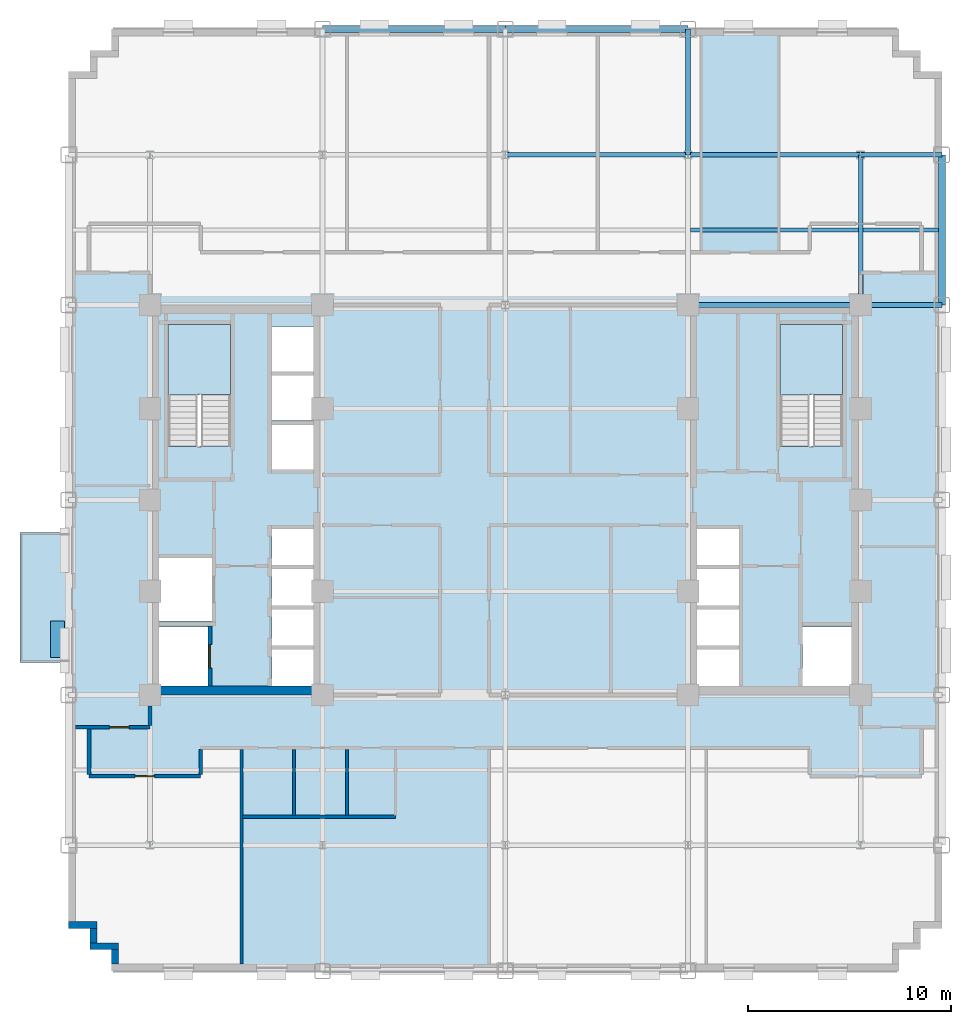
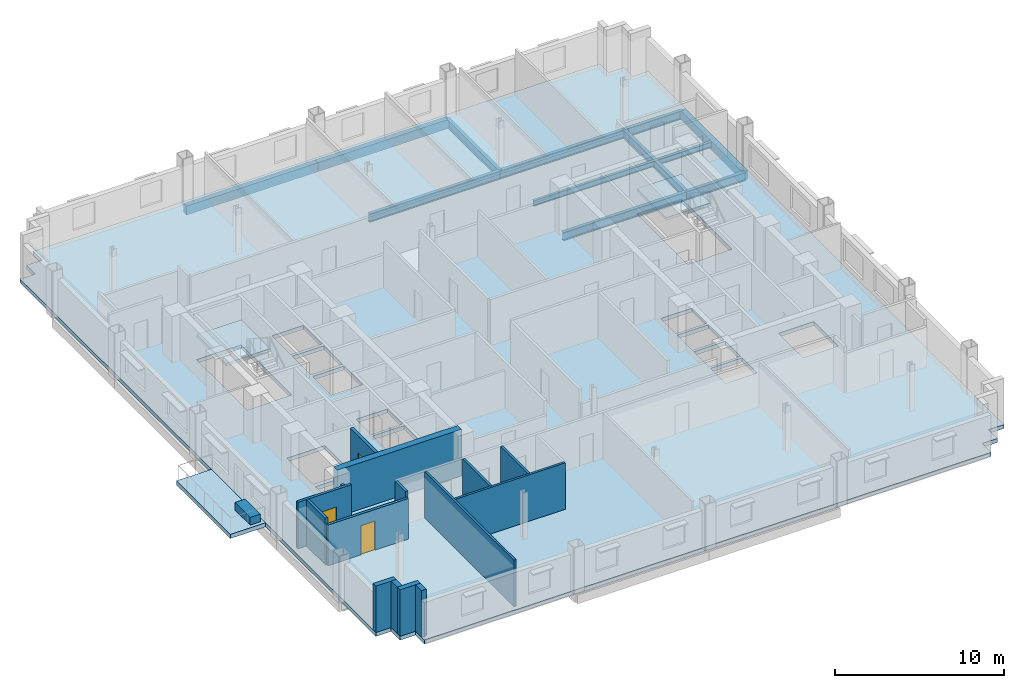
# One storey, part 5 of 13: 15 walls, 12 beams, 4 slabs, 3 doors, 1 plate, 3 openings, 2 elements without a shape of their own.
"""IFC4 building model written with IfcOpenShell, lengths in metres."""

from ifc_helpers import new_model, si_unit, direction, frame, frame_2d, origin, origin_2d, place, context, subcontext, project, spatial, polyline, rectangle, i_section, outline, extrude, source, transform, mapped, material, layer, layer_set, material_profile, profile_set, type_object, type_shapes, element, fill, aggregate, save


model = new_model("IFC4")

# Units and contexts
model_context = context("Model", 3, precision=1e-05, world=origin(), true_north=direction((0.0, 1.0)))
body_context = subcontext(model_context, "Body", "Model", "MODEL_VIEW")
ifc_project = project(units=[si_unit("LENGTHUNIT", "METRE"), si_unit("AREAUNIT", "SQUARE_METRE"), si_unit("VOLUMEUNIT", "CUBIC_METRE"), si_unit("PLANEANGLEUNIT", "RADIAN"), si_unit("MASSUNIT", "GRAM", prefix="KILO")], contexts=[model_context])

# Site, building, storey
site_placement = place(None, origin())
site = spatial("IfcSite", under=ifc_project, at=site_placement, CompositionType="ELEMENT")
building_placement = place(site_placement, origin())
building = spatial("IfcBuilding", under=site, at=building_placement, Name="Nuvemarco Arch Tower", CompositionType="ELEMENT")
storey_placement = place(building_placement, frame((0.0, 0.0, 78.699951171875)))
storey = spatial("IfcBuildingStorey", under=building, at=storey_placement, Name="L20", CompositionType="ELEMENT", Elevation=78.699951171875)

# Beams
ifc_material_1 = material(Name="Steel S355", Category="steel")
ifc_material_profile_1 = material_profile(ifc_material_1, i_section(OverallWidth=0.22998046875, OverallDepth=0.616943359375, WebThickness=0.01318359375, FlangeThickness=0.022216796875, FilletRadius=0.01611328125, at=origin_2d()), Name="W610x140")
ifc_profile_set_1 = profile_set([ifc_material_profile_1], Name="Steel S355")
beam_type_1 = type_object("IfcBeamType", Name="BM-GIRD-610", PredefinedType="BEAM", material=ifc_profile_set_1)
beam_1_placement = place(storey_placement, frame((9.0, 17.0, -0.58837890625), z_axis=(0.0, 1.0, 0.0), x_axis=(-1.0, 0.0, 0.0)))
element("IfcBeam", 1, at=beam_1_placement, inside=storey, type_object=beam_type_1, Name="L20 structural beam BGNS_L20_0_+9.0_+17.0", PredefinedType="BEAM", context=body_context, shape_type="SweptSolid", body=[
    extrude(i_section(OverallWidth=0.22998046875, OverallDepth=0.616943359375, WebThickness=0.01318359375, FlangeThickness=0.022216796875, FilletRadius=0.01611328125, at=origin_2d()), origin(), (0.0, 0.0, 1.0), 6.199951171875),
])
beam_2_placement = place(storey_placement, frame((17.5, 9.60009765625, -0.58837890625), z_axis=(0.0, 1.0, 0.0), x_axis=(-1.0, 0.0, 0.0)))
element("IfcBeam", 2, at=beam_2_placement, inside=storey, type_object=beam_type_1, Name="L20 structural beam BGNS_L20_0_+17.5_+9.6", PredefinedType="BEAM", context=body_context, shape_type="SweptSolid", body=[
    extrude(i_section(OverallWidth=0.22998046875, OverallDepth=0.616943359375, WebThickness=0.01318359375, FlangeThickness=0.022216796875, FilletRadius=0.01611328125, at=origin_2d()), origin(), (0.0, 0.0, 1.0), 7.39990234375),
])
beam_3_placement = place(storey_placement, frame((9.0, 9.60009765625, -0.58837890625), z_axis=(1.0, 0.0, 0.0), x_axis=(0.0, 1.0, 0.0)))
element("IfcBeam", 3, at=beam_3_placement, inside=storey, type_object=beam_type_1, Name="L20 structural beam BGEW_L20_0_+9.6_+9.0", PredefinedType="BEAM", context=body_context, shape_type="SweptSolid", body=[
    extrude(i_section(OverallWidth=0.22998046875, OverallDepth=0.616943359375, WebThickness=0.01318359375, FlangeThickness=0.022216796875, FilletRadius=0.01611328125, at=origin_2d()), origin(), (0.0, 0.0, 1.0), 8.5),
])
beam_4_placement = place(storey_placement, frame((17.5, 9.60009765625, -0.58837890625), z_axis=(1.0, 0.0, 0.0), x_axis=(0.0, 1.0, 0.0)))
element("IfcBeam", 4, at=beam_4_placement, inside=storey, type_object=beam_type_1, Name="L20 structural beam BGEW_L20_0_+9.6_+17.5", PredefinedType="BEAM", context=body_context, shape_type="SweptSolid", body=[
    extrude(i_section(OverallWidth=0.22998046875, OverallDepth=0.616943359375, WebThickness=0.01318359375, FlangeThickness=0.022216796875, FilletRadius=0.01611328125, at=origin_2d()), origin(), (0.0, 0.0, 1.0), 4.0),
])
beam_5_placement = place(storey_placement, frame((0.0, 17.0, -0.58837890625), z_axis=(1.0, 0.0, 0.0), x_axis=(0.0, 1.0, 0.0)))
element("IfcBeam", 5, at=beam_5_placement, inside=storey, type_object=beam_type_1, Name="L20 structural beam BGEW_L20_0_+17.0_+0.0", PredefinedType="BEAM", context=body_context, shape_type="SweptSolid", body=[
    extrude(i_section(OverallWidth=0.22998046875, OverallDepth=0.616943359375, WebThickness=0.01318359375, FlangeThickness=0.022216796875, FilletRadius=0.01611328125, at=origin_2d()), origin(), (0.0, 0.0, 1.0), 9.0),
])
beam_6_placement = place(storey_placement, frame((9.0, 17.0, -0.58837890625), z_axis=(1.0, 0.0, 0.0), x_axis=(0.0, 1.0, 0.0)))
element("IfcBeam", 6, at=beam_6_placement, inside=storey, type_object=beam_type_1, Name="L20 structural beam BGEW_L20_0_+17.0_+9.0", PredefinedType="BEAM", context=body_context, shape_type="SweptSolid", body=[
    extrude(i_section(OverallWidth=0.22998046875, OverallDepth=0.616943359375, WebThickness=0.01318359375, FlangeThickness=0.022216796875, FilletRadius=0.01611328125, at=origin_2d()), origin(), (0.0, 0.0, 1.0), 8.5),
])
beam_7_placement = place(storey_placement, frame((17.5, 17.0, -0.58837890625), z_axis=(1.0, 0.0, 0.0), x_axis=(0.0, 1.0, 0.0)))
element("IfcBeam", 7, at=beam_7_placement, inside=storey, type_object=beam_type_1, Name="L20 structural beam BGEW_L20_0_+17.0_+17.5", PredefinedType="BEAM", context=body_context, shape_type="SweptSolid", body=[
    extrude(i_section(OverallWidth=0.22998046875, OverallDepth=0.616943359375, WebThickness=0.01318359375, FlangeThickness=0.022216796875, FilletRadius=0.01611328125, at=origin_2d()), origin(), (0.0, 0.0, 1.0), 4.0),
])
ifc_material_profile_2 = material_profile(ifc_material_1, i_section(OverallWidth=0.179931640625, OverallDepth=0.4130859375, WebThickness=0.009765625, FlangeThickness=0.01611328125, FilletRadius=0.014892578125, at=origin_2d()), Name="W410x75")
ifc_profile_set_2 = profile_set([ifc_material_profile_2], Name="Steel S355")
beam_type_2 = type_object("IfcBeamType", Name="BM-JOIST-410", PredefinedType="JOIST", material=ifc_profile_set_2)
beam_8_placement = place(storey_placement, frame((9.114990234375, 13.300048828125, -0.486572265625), z_axis=(1.0, 0.0, 0.0), x_axis=(0.0, 1.0, 0.0)))
element("IfcBeam", 8, at=beam_8_placement, inside=storey, type_object=beam_type_2, Name="L20 structural beam BJ_L20_0_+13.3_+9.0", PredefinedType="JOIST", context=body_context, shape_type="SweptSolid", body=[
    extrude(i_section(OverallWidth=0.179931640625, OverallDepth=0.4130859375, WebThickness=0.009765625, FlangeThickness=0.01611328125, FilletRadius=0.014892578125, at=origin_2d()), origin(), (0.0, 0.0, 1.0), 8.27001953125),
])
beam_9_placement = place(storey_placement, frame((17.614990234375, 13.300048828125, -0.486572265625), z_axis=(1.0, 0.0, 0.0), x_axis=(0.0, 1.0, 0.0)))
element("IfcBeam", 9, at=beam_9_placement, inside=storey, type_object=beam_type_2, Name="L20 structural beam BJ_L20_0_+13.3_+17.5", PredefinedType="JOIST", context=body_context, shape_type="SweptSolid", body=[
    extrude(i_section(OverallWidth=0.179931640625, OverallDepth=0.4130859375, WebThickness=0.009765625, FlangeThickness=0.01611328125, FilletRadius=0.014892578125, at=origin_2d()), origin(), (0.0, 0.0, 1.0), 3.7099609375),
])
ifc_material_2 = material(Name="Precast concrete C45/55", Category="concrete")
ifc_material_profile_3 = material_profile(ifc_material_2, rectangle(XDim=0.35009765625, YDim=0.64990234375, at=origin_2d()), Name="PC-SP-350x650")
ifc_profile_set_3 = profile_set([ifc_material_profile_3], Name="Precast concrete C45/55")
beam_type_3 = type_object("IfcBeamType", Name="BM-SPAN-RC", PredefinedType="SPANDREL", material=ifc_profile_set_3)
beam_10_placement = place(storey_placement, frame((21.5, 9.60009765625, -0.60498046875), z_axis=(0.0, 1.0, 0.0), x_axis=(-1.0, 0.0, 0.0)))
element("IfcBeam", 10, at=beam_10_placement, inside=storey, type_object=beam_type_3, Name="L20 structural beam BGNS_L20_0_+21.5_+9.6", PredefinedType="SPANDREL", context=body_context, shape_type="SweptSolid", body=[
    extrude(rectangle(XDim=0.35009765625, YDim=0.64990234375, at=origin_2d()), origin(), (0.0, 0.0, 1.0), 7.39990234375),
])
for number, where, z_axis, x_axis, name in (
    (11, (-9.0, 23.199951171875, -0.60498046875), (1.0, 0.0, 0.0), (0.0, 1.0, 0.0), "L20 structural beam BGEW_L20_0_+23.2_-9.0"),
    (12, (0.0, 23.199951171875, -0.60498046875), (1.0, 0.0, 0.0), (0.0, 1.0, 0.0), "L20 structural beam BGEW_L20_0_+23.2_+0.0"),
):
    element("IfcBeam", number, at=place(storey_placement, frame(where, z_axis=z_axis, x_axis=x_axis)), inside=storey, type_object=beam_type_3, Name=name, PredefinedType="SPANDREL", context=body_context, shape_type="SweptSolid", body=[
        extrude(rectangle(XDim=0.35009765625, YDim=0.64990234375, at=origin_2d()), origin(), (0.0, 0.0, 1.0), 9.0),
    ])

# Slab
ifc_material_3 = material(Name="Concrete C50/60", Category="concrete")
ifc_layer_1 = layer(ifc_material_3, 0.280029296875, Name="SL-FLR-280")
ifc_layer_set_1 = layer_set([ifc_layer_1], Name="Concrete C50/60")
slab_type_1 = type_object("IfcSlabType", Name="SL-FLR-280", PredefinedType="FLOOR", material=ifc_layer_set_1)
slab_1_placement = place(storey_placement, frame((0.0, 0.0, -0.280029296875)))
element("IfcSlab", 13, at=slab_1_placement, inside=storey, type_object=slab_type_1, Name="L20 structural floor slab", PredefinedType="FLOOR", context=body_context, shape_type="SweptSolid", body=[
    extrude(outline(polyline([(-19.39990234375, -23.199951171875), (19.39990234375, -23.199951171875), (19.39990234375, -22.14990234375), (20.449951171875, -22.14990234375), (20.449951171875, -21.10009765625), (21.5, -21.10009765625), (21.5, 21.10009765625), (20.449951171875, 21.10009765625), (20.449951171875, 22.14990234375), (19.39990234375, 22.14990234375), (19.39990234375, 23.199951171875), (-19.39990234375, 23.199951171875), (-19.39990234375, 22.14990234375), (-20.449951171875, 22.14990234375), (-20.449951171875, 21.10009765625), (-21.5, 21.10009765625), (-21.5, -21.10009765625), (-20.449951171875, -21.10009765625), (-20.449951171875, -22.14990234375), (-19.39990234375, -22.14990234375), (-19.39990234375, -23.199951171875)]), holes=[polyline([(-13.5400390625, 2.669921875), (-13.5400390625, 8.64990234375), (-16.60009765625, 8.64990234375), (-16.60009765625, 2.630615234375), (-15.070068359375, 2.630615234375), (-15.070068359375, 2.669921875), (-13.5400390625, 2.669921875)]), polyline([(16.60009765625, 2.669921875), (16.60009765625, 8.64990234375), (13.5400390625, 8.64990234375), (13.5400390625, 2.630615234375), (15.070068359375, 2.630615234375), (15.070068359375, 2.669921875), (16.60009765625, 2.669921875)]), polyline([(-17.050048828125, -9.14990234375), (-14.64990234375, -9.14990234375), (-14.64990234375, -6.25), (-17.050048828125, -6.25), (-17.050048828125, -9.14990234375)]), polyline([(-17.050048828125, -5.949951171875), (-14.449951171875, -5.949951171875), (-14.449951171875, -2.85009765625), (-17.050048828125, -2.85009765625), (-17.050048828125, -5.949951171875)]), polyline([(-11.5, -9.14990234375), (-9.35009765625, -9.14990234375), (-9.35009765625, -7.3701171875), (-11.5, -7.3701171875), (-11.5, -9.14990234375)]), polyline([(-11.5, -7.169921875), (-9.35009765625, -7.169921875), (-9.35009765625, -5.389892578125), (-11.5, -5.389892578125), (-11.5, -7.169921875)]), polyline([(-11.5, -5.18994140625), (-9.35009765625, -5.18994140625), (-9.35009765625, -3.409912109375), (-11.5, -3.409912109375), (-11.5, -5.18994140625)]), polyline([(-11.5, -3.2099609375), (-9.35009765625, -3.2099609375), (-9.35009765625, -1.429931640625), (-11.5, -1.429931640625), (-11.5, -3.2099609375)]), polyline([(-11.5, 1.5), (-9.35009765625, 1.5), (-9.35009765625, 3.699951171875), (-11.5, 3.699951171875), (-11.5, 1.5)]), polyline([(-11.5, 3.919921875), (-9.35009765625, 3.919921875), (-9.35009765625, 6.1201171875), (-11.5, 6.1201171875), (-11.5, 3.919921875)]), polyline([(-11.5, 6.340087890625), (-9.35009765625, 6.340087890625), (-9.35009765625, 8.5400390625), (-11.5, 8.5400390625), (-11.5, 6.340087890625)]), polyline([(14.64990234375, -9.14990234375), (17.050048828125, -9.14990234375), (17.050048828125, -6.25), (14.64990234375, -6.25), (14.64990234375, -9.14990234375)]), polyline([(9.35009765625, -9.14990234375), (11.5, -9.14990234375), (11.5, -7.3701171875), (9.35009765625, -7.3701171875), (9.35009765625, -9.14990234375)]), polyline([(9.35009765625, -7.169921875), (11.5, -7.169921875), (11.5, -5.389892578125), (9.35009765625, -5.389892578125), (9.35009765625, -7.169921875)]), polyline([(9.35009765625, -5.18994140625), (11.5, -5.18994140625), (11.5, -3.409912109375), (9.35009765625, -3.409912109375), (9.35009765625, -5.18994140625)]), polyline([(9.35009765625, -3.2099609375), (11.5, -3.2099609375), (11.5, -1.429931640625), (9.35009765625, -1.429931640625), (9.35009765625, -3.2099609375)])]), origin(), (0.0, 0.0, 1.0), 0.280029296875),
])

# Stair, slab
stair_type = type_object("IfcStairType", Name="ST-CORE-20R", PredefinedType="HALF_TURN_STAIR", material=ifc_material_2)
stair_1_placement = place(storey_placement, origin())
stair_1 = element("IfcStair", 14, at=stair_1_placement, inside=storey, type_object=stair_type, Name="L20 Protected Exit Stair ST-1", PredefinedType="HALF_TURN_STAIR")
ifc_layer_2 = layer(ifc_material_2, 0.199951171875, Name="SL-LANDING-200")
ifc_layer_set_2 = layer_set([ifc_layer_2], Name="Precast concrete C45/55")
slab_type_2 = type_object("IfcSlabType", Name="SL-LANDING-200", PredefinedType="LANDING", material=ifc_layer_set_2)
slab_2_placement = place(storey_placement, frame((0.0, 0.0, 1.625)))
slab_2 = element("IfcSlab", 15, at=slab_2_placement, type_object=slab_type_2, Name="ST-20R landing 1", PredefinedType="LANDING", context=body_context, shape_type="SweptSolid", body=[
    extrude(outline(polyline([(-13.5400390625, 5.189453125), (-13.5400390625, 8.64990234375), (-16.60009765625, 8.64990234375), (-16.60009765625, 5.169921875), (-15.070068359375, 5.169921875), (-15.070068359375, 5.189453125), (-13.5400390625, 5.189453125)])), origin(), (0.0, 0.0, 1.0), 0.199951171875),
])
aggregate(stair_1, [slab_2])

stair_2_placement = place(storey_placement, origin())
stair_2 = element("IfcStair", 16, at=stair_2_placement, inside=storey, type_object=stair_type, Name="L20 Protected Exit Stair ST-2", PredefinedType="HALF_TURN_STAIR")
slab_3_placement = place(storey_placement, frame((0.0, 0.0, 1.625)))
slab_3 = element("IfcSlab", 17, at=slab_3_placement, type_object=slab_type_2, Name="ST-20R landing 1", PredefinedType="LANDING", context=body_context, shape_type="SweptSolid", body=[
    extrude(outline(polyline([(16.60009765625, 5.189453125), (16.60009765625, 8.64990234375), (13.5400390625, 8.64990234375), (13.5400390625, 5.169921875), (15.070068359375, 5.169921875), (15.070068359375, 5.189453125), (16.60009765625, 5.189453125)])), origin(), (0.0, 0.0, 1.0), 0.199951171875),
])
aggregate(stair_2, [slab_3])

# Slab
ifc_layer_3 = layer(ifc_material_3, 0.294921875, Name="SL-TR4")
ifc_layer_set_3 = layer_set([ifc_layer_3], Name="Concrete C50/60")
slab_type_3 = type_object("IfcSlabType", Name="SL-TR4", PredefinedType="FLOOR", material=ifc_layer_set_3)
slab_4_placement = place(storey_placement, frame((0.0, 0.0, -0.294921875)))
element("IfcSlab", 18, at=slab_4_placement, inside=storey, type_object=slab_type_3, Name="L20 outdoor spiral terrace slab 1", PredefinedType="FLOOR", context=body_context, shape_type="SweptSolid", body=[
    extrude(outline(polyline([(-23.89990234375, -8.0), (-21.5, -8.0), (-21.5, -1.60009765625), (-23.89990234375, -1.60009765625), (-23.89990234375, -8.0)])), origin(), (0.0, 0.0, 1.0), 0.294921875),
])

# Plate
ifc_layer_4 = layer(ifc_material_2, 0.550048828125, Name="Tree Balcony Structural Planter")
ifc_layer_set_4 = layer_set([ifc_layer_4], Name="Precast concrete C45/55")
plate_type = type_object("IfcPlateType", Name="Tree Balcony Structural Planter", PredefinedType="USERDEFINED", material=ifc_layer_set_4)
shared_shape_1 = source(origin(), body_context, "Body", "SweptSolid", [
    extrude(rectangle(XDim=1.800048828125, YDim=0.699951171875, at=origin_2d()), origin(), (0.0, 0.0, 1.0), 0.550048828125),
])
type_shapes(plate_type, [shared_shape_1])
plate_placement = place(storey_placement, frame((-22.050048828125, -6.85009765625, 0.0), z_axis=(0.0, 0.0, 1.0), x_axis=(0.0, 1.0, 0.0)))
element("IfcPlate", 19, at=plate_placement, inside=storey, type_object=plate_type, Name="L20 Tree Balcony Structural Planter", ObjectType="PLANTER", PredefinedType="USERDEFINED", context=body_context, shape_type="MappedRepresentation", body=[
    mapped(shared_shape_1, transform((0.0, 0.0, 0.0), scale=1.0)),
])

# Walls
ifc_layer_5 = layer(ifc_material_2, 0.340087890625, Name="EW-LOW-340")
ifc_layer_set_5 = layer_set([ifc_layer_5], Name="Precast concrete C45/55")
wall_type_1 = type_object("IfcWallType", Name="EW-LOW-340", PredefinedType="STANDARD", material=ifc_layer_set_5)
wall_1_placement = place(storey_placement, frame((-21.5, -20.929931640625, 0.0), z_axis=(0.0, 0.0, 1.0), x_axis=(1.0, 0.0, 0.0)))
element("IfcWall", 20, at=wall_1_placement, inside=storey, type_object=wall_type_1, Name="L20 exterior precast facade wall 17", PredefinedType="STANDARD", context=body_context, shape_type="SweptSolid", body=[
    extrude(rectangle(XDim=1.389892578125, YDim=0.340087890625, at=frame_2d((0.69482421875, 0.0))), origin(), (0.0, 0.0, 1.0), 3.360107421875),
])
wall_2_placement = place(storey_placement, frame((-20.280029296875, -21.81396484375, 0.0), z_axis=(0.0, 0.0, 1.0), x_axis=(0.0, 1.0, 0.0)))
element("IfcWall", 21, at=wall_2_placement, inside=storey, type_object=wall_type_1, Name="L20 exterior precast facade wall 18", PredefinedType="STANDARD", context=body_context, shape_type="SweptSolid", body=[
    extrude(rectangle(XDim=0.718017578125, YDim=0.340087890625, at=frame_2d((0.35888671875, 0.0))), origin(), (0.0, 0.0, 1.0), 3.360107421875),
])
wall_3_placement = place(storey_placement, frame((-20.449951171875, -21.97998046875, 0.0), z_axis=(0.0, 0.0, 1.0), x_axis=(1.0, 0.0, 0.0)))
element("IfcWall", 22, at=wall_3_placement, inside=storey, type_object=wall_type_1, Name="L20 exterior precast facade wall 19", PredefinedType="STANDARD", context=body_context, shape_type="SweptSolid", body=[
    extrude(rectangle(XDim=1.389892578125, YDim=0.340087890625, at=frame_2d((0.69482421875, 0.0))), origin(), (0.0, 0.0, 1.0), 3.360107421875),
])
wall_4_placement = place(storey_placement, frame((-19.22998046875, -22.864013671875, 0.0), z_axis=(0.0, 0.0, 1.0), x_axis=(0.0, 1.0, 0.0)))
element("IfcWall", 23, at=wall_4_placement, inside=storey, type_object=wall_type_1, Name="L20 exterior precast facade wall 20", PredefinedType="STANDARD", context=body_context, shape_type="SweptSolid", body=[
    extrude(rectangle(XDim=0.718017578125, YDim=0.340087890625, at=frame_2d((0.35888671875, 0.0))), origin(), (0.0, 0.0, 1.0), 3.360107421875),
])
ifc_material_4 = material(Name="Concrete C60/75", Category="concrete")
ifc_layer_6 = layer(ifc_material_4, 0.449951171875, Name="WL-CORE-450")
ifc_layer_set_6 = layer_set([ifc_layer_6], Name="Concrete C60/75")
wall_type_2 = type_object("IfcWallType", Name="WL-CORE-450", PredefinedType="SHEAR", material=ifc_layer_set_6)
wall_5_placement = place(storey_placement, frame((-17.5, -9.375, 0.0), z_axis=(0.0, 0.0, 1.0), x_axis=(1.0, 0.0, 0.0)))
element("IfcWall", 24, at=wall_5_placement, inside=storey, type_object=wall_type_2, Name="L20 W-core shear wall S", PredefinedType="SHEAR", context=body_context, shape_type="SweptSolid", body=[
    extrude(rectangle(XDim=8.5, YDim=0.449951171875, at=frame_2d((4.25, 0.0))), origin(), (0.0, 0.0, 1.0), 3.3701171875),
])

# Wall, opening, door
ifc_material_5 = material(Name="Fire-rated gypsum drywall partition")
ifc_layer_7 = layer(ifc_material_5, 0.179931640625, Name="WL-CORR-180")
ifc_layer_set_7 = layer_set([ifc_layer_7], Name="Fire-rated gypsum drywall partition")
wall_type_3 = type_object("IfcWallType", Name="WL-CORR-180", PredefinedType="PARTITIONING", material=ifc_layer_set_7)
wall_6_placement = place(storey_placement, frame((-20.5, -13.60009765625, 0.0), z_axis=(0.0, 0.0, 1.0), x_axis=(1.0, 0.0, 0.0)))
wall_6 = element("IfcWall", 25, at=wall_6_placement, inside=storey, type_object=wall_type_3, Name="L20 interior wall IW-L20-002", PredefinedType="PARTITIONING", context=body_context, shape_type="SweptSolid", body=[
    extrude(rectangle(XDim=5.5, YDim=0.179931640625, at=frame_2d((2.75, 0.0))), origin(), (0.0, 0.0, 1.0), 2.942138671875),
])
opening_1_placement = place(wall_6_placement, frame((2.27001953125, 0.0, 0.0)))
opening_1 = element("IfcOpeningElement", 26, at=opening_1_placement, cuts=wall_6, Name="Opening FD-5", PredefinedType="OPENING", context=body_context, shape_type="SweptSolid", body=[
    extrude(rectangle(XDim=0.9599609375, YDim=2.10009765625, at=frame_2d((0.47998046875, 1.050048828125))), frame((0.0, 0.099853515625, 0.0), z_axis=(0.0, -1.0, 0.0), x_axis=(1.0, 0.0, 0.0)), (0.0, 0.0, 1.0), 0.199951171875),
])
ifc_material_6 = material(Name="Timber fire door", Category="wood")
door_type_1 = type_object("IfcDoorType", Name="DR-CORR-FD", OperationType="NOTDEFINED", PredefinedType="DOOR", material=ifc_material_6)
shared_shape_2 = source(origin(), body_context, "Body", "SweptSolid", [
    extrude(rectangle(XDim=0.9599609375, YDim=2.10009765625, at=frame_2d((0.47998046875, 1.050048828125))), frame((0.0, 0.02490234375, 0.0), z_axis=(0.0, -1.0, 0.0), x_axis=(1.0, 0.0, 0.0)), (0.0, 0.0, 1.0), 0.050048828125),
])
type_shapes(door_type_1, [shared_shape_2])
door_1_placement = place(opening_1_placement, origin())
door_1 = element("IfcDoor", 27, at=door_1_placement, inside=storey, type_object=door_type_1, Name="L20 door DR-L20-S_1", OperationType="SINGLE_SWING_LEFT", OverallHeight=2.10009765625, OverallWidth=0.9599609375, PredefinedType="DOOR", context=body_context, shape_type="MappedRepresentation", body=[
    mapped(shared_shape_2, transform((0.0, 0.0, 0.0), scale=1.0)),
])
fill(opening_1, door_1)

wall_7_placement = place(storey_placement, frame((-21.159912109375, -11.199951171875, 0.0), z_axis=(0.0, 0.0, 1.0), x_axis=(1.0, 0.0, 0.0)))
wall_7 = element("IfcWall", 28, at=wall_7_placement, inside=storey, type_object=wall_type_3, Name="L20 interior wall IW-L20-005", PredefinedType="PARTITIONING", context=body_context, shape_type="SweptSolid", body=[
    extrude(rectangle(XDim=3.659912109375, YDim=0.179931640625, at=frame_2d((1.830078125, 0.0))), origin(), (0.0, 0.0, 1.0), 3.360107421875),
])
opening_2_placement = place(wall_7_placement, frame((1.679931640625, 0.0, 0.0)))
opening_2 = element("IfcOpeningElement", 29, at=opening_2_placement, cuts=wall_7, Name="Opening FD-5", PredefinedType="OPENING", context=body_context, shape_type="SweptSolid", body=[
    extrude(rectangle(XDim=0.9599609375, YDim=2.10009765625, at=frame_2d((0.47998046875, 1.050048828125))), frame((0.0, 0.099853515625, 0.0), z_axis=(0.0, -1.0, 0.0), x_axis=(1.0, 0.0, 0.0)), (0.0, 0.0, 1.0), 0.199951171875),
])
door_2_placement = place(opening_2_placement, origin())
door_2 = element("IfcDoor", 30, at=door_2_placement, inside=storey, type_object=door_type_1, Name="L20 door DR-L20-W_1", OperationType="SINGLE_SWING_LEFT", OverallHeight=2.10009765625, OverallWidth=0.9599609375, PredefinedType="DOOR", context=body_context, shape_type="MappedRepresentation", body=[
    mapped(shared_shape_2, transform((0.0, 0.0, 0.0), scale=1.0)),
])
fill(opening_2, door_2)

# Walls
wall_8_placement = place(storey_placement, frame((-20.5, -13.513916015625, 0.0), z_axis=(0.0, 0.0, 1.0), x_axis=(0.0, 1.0, 0.0)))
element("IfcWall", 31, at=wall_8_placement, inside=storey, type_object=wall_type_3, Name="L20 interior wall IW-L20-025", PredefinedType="PARTITIONING", context=body_context, shape_type="SweptSolid", body=[
    extrude(rectangle(XDim=2.22802734375, YDim=0.179931640625, at=frame_2d((1.114013671875, 0.0))), origin(), (0.0, 0.0, 1.0), 3.360107421875),
])
wall_9_placement = place(storey_placement, frame((-17.5, -11.114013671875, 0.0), z_axis=(0.0, 0.0, 1.0), x_axis=(0.0, 1.0, 0.0)))
element("IfcWall", 32, at=wall_9_placement, inside=storey, type_object=wall_type_3, Name="L20 interior wall IW-L20-027", PredefinedType="PARTITIONING", context=body_context, shape_type="SweptSolid", body=[
    extrude(rectangle(XDim=0.968017578125, YDim=0.179931640625, at=frame_2d((0.48388671875, 0.0))), origin(), (0.0, 0.0, 1.0), 2.738037109375),
])
wall_10_placement = place(storey_placement, frame((-15.0, -13.513916015625, 0.0), z_axis=(0.0, 0.0, 1.0), x_axis=(0.0, 1.0, 0.0)))
element("IfcWall", 33, at=wall_10_placement, inside=storey, type_object=wall_type_3, Name="L20 interior wall IW-L20-029", PredefinedType="PARTITIONING", context=body_context, shape_type="SweptSolid", body=[
    extrude(rectangle(XDim=1.22802734375, YDim=0.179931640625, at=frame_2d((0.614013671875, 0.0))), origin(), (0.0, 0.0, 1.0), 3.360107421875),
])

# Wall, opening, door
ifc_layer_8 = layer(ifc_material_3, 0.199951171875, Name="WL-SHAFT-220")
ifc_layer_set_8 = layer_set([ifc_layer_8], Name="Concrete C50/60")
wall_type_4 = type_object("IfcWallType", Name="WL-SHAFT-220", PredefinedType="SHEAR", material=ifc_layer_set_8)
wall_11_placement = place(storey_placement, frame((-14.550048828125, -9.155029296875, 0.0), z_axis=(0.0, 0.0, 1.0), x_axis=(0.0, 1.0, 0.0)))
wall_11 = element("IfcWall", 34, at=wall_11_placement, inside=storey, type_object=wall_type_4, Name="L20 structural shaft wall SW-L20-W-SHE", PredefinedType="SHEAR", context=body_context, shape_type="SweptSolid", body=[
    extrude(rectangle(XDim=2.9599609375, YDim=0.199951171875, at=frame_2d((1.47998046875, 0.0))), origin(), (0.0, 0.0, 1.0), 3.3701171875),
])
opening_3_placement = place(wall_11_placement, frame((0.8798828125, 0.0, 0.0)))
opening_3 = element("IfcOpeningElement", 35, at=opening_3_placement, cuts=wall_11, Name="Opening LD-2", PredefinedType="OPENING", context=body_context, shape_type="SweptSolid", body=[
    extrude(rectangle(XDim=1.14990234375, YDim=2.14990234375, at=frame_2d((0.574951171875, 1.074951171875))), frame((0.0, 0.10986328125, 0.0), z_axis=(0.0, -1.0, 0.0), x_axis=(1.0, 0.0, 0.0)), (0.0, 0.0, 1.0), 0.219970703125),
])
ifc_material_7 = material(Name="Stainless steel lift door", Category="steel")
door_type_2 = type_object("IfcDoorType", Name="DR-LIFT-FIRE", OperationType="DOUBLE_DOOR_SLIDING", PredefinedType="DOOR", material=ifc_material_7)
shared_shape_3 = source(origin(), body_context, "Body", "SweptSolid", [
    extrude(rectangle(XDim=1.14990234375, YDim=2.14990234375, at=frame_2d((0.574951171875, 1.074951171875))), frame((0.0, 0.02490234375, 0.0), z_axis=(0.0, -1.0, 0.0), x_axis=(1.0, 0.0, 0.0)), (0.0, 0.0, 1.0), 0.050048828125),
])
type_shapes(door_type_2, [shared_shape_3])
door_3_placement = place(opening_3_placement, origin())
door_3 = element("IfcDoor", 36, at=door_3_placement, inside=storey, type_object=door_type_2, Name="L20 Lift landing sliding door FFL-1", OperationType="DOUBLE_DOOR_SLIDING", OverallHeight=2.14990234375, OverallWidth=1.14990234375, PredefinedType="DOOR", context=body_context, shape_type="MappedRepresentation", body=[
    mapped(shared_shape_3, transform((0.0, 0.0, 0.0), scale=1.0)),
])
fill(opening_3, door_3)

# Walls
ifc_material_8 = material(Name="Moisture-resistant gypsum partition")
ifc_layer_9 = layer(ifc_material_8, 0.14990234375, Name="WL-WET-150")
ifc_layer_set_9 = layer_set([ifc_layer_9], Name="Moisture-resistant gypsum partition")
wall_type_5 = type_object("IfcWallType", Name="WL-WET-150", PredefinedType="PARTITIONING", material=ifc_layer_set_9)
wall_12_placement = place(storey_placement, frame((-12.93408203125, -15.60009765625, 0.0), z_axis=(0.0, 0.0, 1.0), x_axis=(1.0, 0.0, 0.0)))
element("IfcWall", 37, at=wall_12_placement, inside=storey, type_object=wall_type_5, Name="L20 interior wall IW-L20-001", PredefinedType="PARTITIONING", context=body_context, shape_type="SweptSolid", body=[
    extrude(rectangle(XDim=7.5341796875, YDim=0.14990234375, at=frame_2d((3.76708984375, 0.0))), origin(), (0.0, 0.0, 1.0), 3.360107421875),
])
wall_13_placement = place(storey_placement, frame((-13.0, -22.860107421875, 0.0), z_axis=(0.0, 0.0, 1.0), x_axis=(0.0, 1.0, 0.0)))
element("IfcWall", 38, at=wall_13_placement, inside=storey, type_object=wall_type_5, Name="L20 interior wall IW-L20-031", PredefinedType="PARTITIONING", context=body_context, shape_type="SweptSolid", body=[
    extrude(rectangle(XDim=10.57421875, YDim=0.14990234375, at=frame_2d((5.287109375, 0.0))), origin(), (0.0, 0.0, 1.0), 3.360107421875),
])
for number, where, z_axis, x_axis, name in (
    (39, (-10.39990234375, -15.529052734375, 0.0), (0.0, 0.0, 1.0), (0.0, 1.0, 0.0), "L20 interior wall IW-L20-032"),
    (40, (-7.800048828125, -15.529052734375, 0.0), (0.0, 0.0, 1.0), (0.0, 1.0, 0.0), "L20 interior wall IW-L20-033"),
):
    element("IfcWall", number, at=place(storey_placement, frame(where, z_axis=z_axis, x_axis=x_axis)), inside=storey, type_object=wall_type_5, Name=name, PredefinedType="PARTITIONING", context=body_context, shape_type="SweptSolid", body=[
        extrude(rectangle(XDim=3.2431640625, YDim=0.14990234375, at=frame_2d((1.62158203125, 0.0))), origin(), (0.0, 0.0, 1.0), 3.360107421875),
    ])

save(model, "model.ifc")
